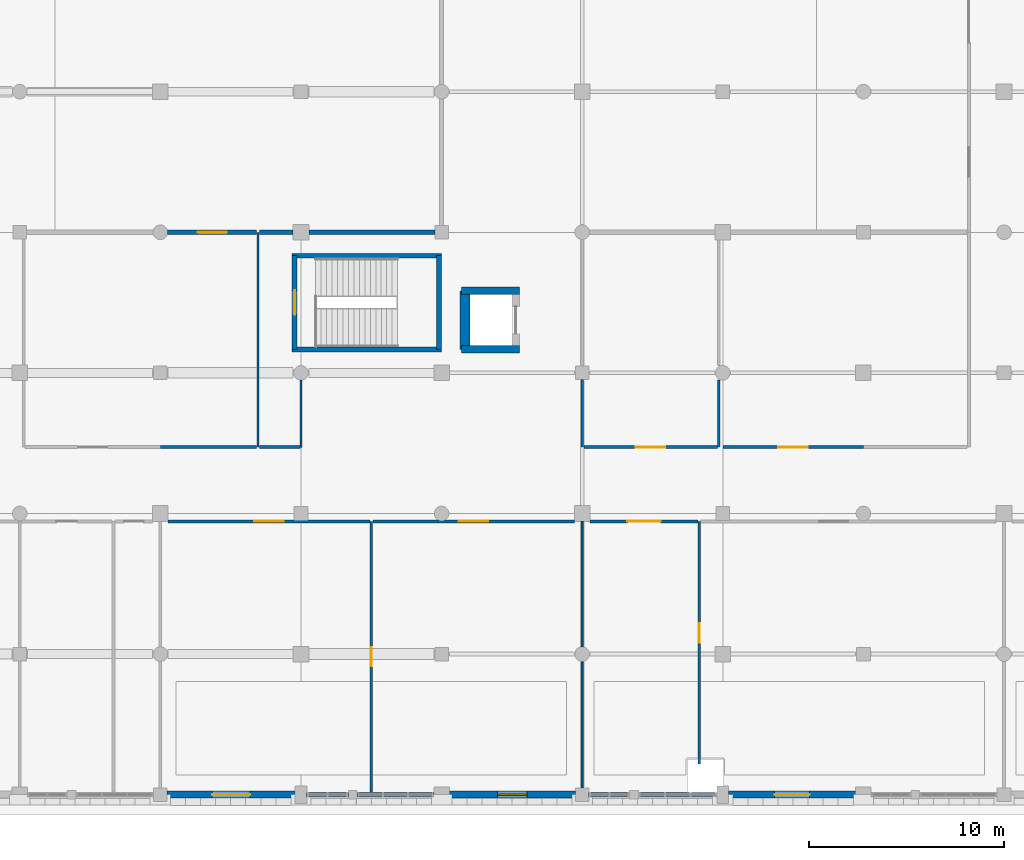
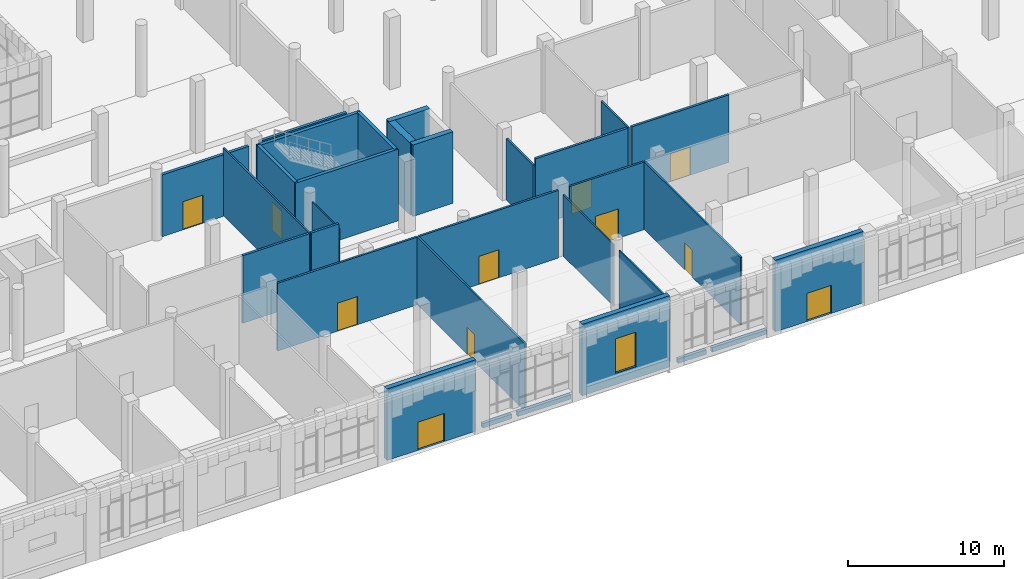
# One storey, part 58 of 85: 32 walls, 11 doors, 1 window, 12 openings.
"""IFC4 building model written with IfcOpenShell, lengths in metres."""

import ifcopenshell
import ifcopenshell.guid

model = None  # the IFC model being written
_history = None  # IfcOwnerHistory: only IFC2X3 demands one
_inside = {}  # id of a spatial element -> (the spatial element, [elements in it])
_under = {}  # id of a project, library or spatial element -> (it, [spatial elements below it])
_declared = {}  # id of a project -> (the project, [libraries it declares])
_typed = {}  # id of a type object -> (the type object, [elements of that type])
_made_of = {}  # id of a material, layer set ... -> (it, [elements and type objects made of it])


def new_model(schema):
    """Start an empty IFC model of exactly this schema.

    Asked for "IFC4X3", IfcOpenShell would pick the latest addendum, in which some entities
    have other attributes; the version numbers below select the first issue.
    IFC2X3 requires an IfcOwnerHistory on every rooted entity: one is made here for all.
    """
    global model, _history
    if schema == "IFC4X3":
        model = ifcopenshell.file(schema_version=(4, 3, 0, 0))
    else:
        model = ifcopenshell.file(schema=schema)
    _inside.clear()
    _under.clear()
    _declared.clear()
    _typed.clear()
    _made_of.clear()
    _history = None
    if model.schema == "IFC2X3":
        org = make("IfcOrganization", Name="unknown")
        user = make(
            "IfcPersonAndOrganization",
            ThePerson=make("IfcPerson", FamilyName="unknown"),
            TheOrganization=org,
        )
        app = make(
            "IfcApplication",
            ApplicationDeveloper=org,
            Version="unknown",
            ApplicationFullName="unknown",
            ApplicationIdentifier="unknown",
        )
        _history = make(
            "IfcOwnerHistory",
            OwningUser=user,
            OwningApplication=app,
            ChangeAction="ADDED",
            CreationDate=0,
        )
    return model


def make(cls, **values):
    """One entity of the class cls with the attributes given. An attribute that is None is left unset."""
    return model.create_entity(
        cls, **{name: value for name, value in values.items() if value is not None}
    )


def rooted(cls, **values):
    """An entity with a GlobalId (a new one), such as an element, a storey or a relation."""
    return make(cls, GlobalId=ifcopenshell.guid.new(), OwnerHistory=_history, **values)


def si_unit(unit_type, name, prefix=None):
    """IfcSIUnit, for example si_unit("LENGTHUNIT", "METRE", prefix="MILLI")."""
    return make("IfcSIUnit", UnitType=unit_type, Prefix=prefix, Name=name)


def assignment(units):
    """IfcUnitAssignment: the units of a project."""
    return None if units is None else make("IfcUnitAssignment", Units=units)


def point(xyz):
    """IfcCartesianPoint."""
    return None if xyz is None else make("IfcCartesianPoint", Coordinates=xyz)


def direction(xyz):
    """IfcDirection."""
    return None if xyz is None else make("IfcDirection", DirectionRatios=xyz)


def frame(location, z_axis=None, x_axis=None):
    """IfcAxis2Placement3D, a coordinate frame: its origin and axes. An axis left out is left unset."""
    return make(
        "IfcAxis2Placement3D",
        Location=point(location),
        Axis=direction(z_axis),
        RefDirection=direction(x_axis),
    )


def frame_2d(location, x_axis=None):
    """IfcAxis2Placement2D, a coordinate frame in the plane: its origin and x axis."""
    return make(
        "IfcAxis2Placement2D", Location=point(location), RefDirection=direction(x_axis)
    )


def origin():
    """The frame at (0, 0, 0) with its axes left unset."""
    return frame((0.0, 0.0, 0.0))


def place(relative_to, where):
    """IfcLocalPlacement: puts the frame where relative to a parent placement (None: the world)."""
    return make(
        "IfcLocalPlacement", PlacementRelTo=relative_to, RelativePlacement=where
    )


def context(
    kind, dimensions, precision=None, world=None, true_north=None, identifier=None
):
    """IfcGeometricRepresentationContext, for example the 3D "Model" context."""
    return make(
        "IfcGeometricRepresentationContext",
        ContextIdentifier=identifier,
        ContextType=kind,
        CoordinateSpaceDimension=dimensions,
        Precision=precision,
        WorldCoordinateSystem=world,
        TrueNorth=true_north,
    )


def subcontext(parent, identifier, kind, view, scale=None):
    """IfcGeometricRepresentationSubContext, for example "Body" below "Model"."""
    return make(
        "IfcGeometricRepresentationSubContext",
        ContextIdentifier=identifier,
        ContextType=kind,
        ParentContext=parent,
        TargetScale=scale,
        TargetView=view,
    )


def project(units=None, contexts=None):
    """IfcProject with its units and contexts."""
    return rooted(
        "IfcProject",
        Name="project",
        RepresentationContexts=contexts,
        UnitsInContext=assignment(units),
    )


def spatial(cls, under=None, at=None, **own):
    """A site, building, storey or space (cls), placed at a placement, below another one or the project."""
    s = rooted(cls, ObjectPlacement=at, **own)
    if under is not None:
        _under.setdefault(under.id(), (under, []))[1].append(s)
    return s


def profile(cls, at=None, kind="AREA", **sizes):
    """A parametric profile (cls). Its sizes go by their IFC names, for example OverallWidth=200.0."""
    return make(cls, ProfileType=kind, Position=at, **sizes)


def rectangle(**sizes):
    """IfcRectangleProfileDef."""
    return profile("IfcRectangleProfileDef", **sizes)


def extrude(swept, where, along, depth):
    """IfcExtrudedAreaSolid: the profile swept, set in the frame where, extruded along a direction by depth."""
    return make(
        "IfcExtrudedAreaSolid",
        SweptArea=swept,
        Position=where,
        ExtrudedDirection=direction(along),
        Depth=depth,
    )


def shape(context_of_items, identifier, shape_type, items):
    """IfcShapeRepresentation: the items that make up one representation, for example the "Body"."""
    return make(
        "IfcShapeRepresentation",
        ContextOfItems=context_of_items,
        RepresentationIdentifier=identifier,
        RepresentationType=shape_type,
        Items=items,
    )


def material(Name=None, Category=None):
    """IfcMaterial."""
    return make("IfcMaterial", Name=Name, Category=Category)


def layer(
    of_material, thickness, ventilated=None, Name=None, Category=None, Priority=None
):
    """IfcMaterialLayer: one layer of a wall or slab, of a material (None: an air gap)."""
    return make(
        "IfcMaterialLayer",
        Material=of_material,
        LayerThickness=thickness,
        IsVentilated=ventilated,
        Name=Name,
        Category=Category,
        Priority=Priority,
    )


def layer_set(layers, Name=None):
    """IfcMaterialLayerSet."""
    return make("IfcMaterialLayerSet", MaterialLayers=layers, LayerSetName=Name)


def made_of(thing, what):
    """Note that an element or type object is made of a material, layer set ...; save() writes the relation."""
    if what is not None:
        _made_of.setdefault(what.id(), (what, []))[1].append(thing)
    return thing


def type_object(cls, material=None, **own):
    """A type object (cls), such as IfcWallType, which elements share."""
    return made_of(rooted(cls, **own), material)


def element(
    cls,
    number,
    at=None,
    inside=None,
    cuts=None,
    type_object=None,
    material=None,
    context=None,
    identifier="Body",
    shape_type=None,
    held_by="IfcProductDefinitionShape",
    body=None,
    shapes=None,
    **own,
):
    """One element of the class cls, such as IfcWall. Its Tag is "e" and its number.

    at: its placement. inside: the storey or other place that contains it. cuts: it is an
    opening in that element (IfcRelVoidsElement). A single representation is given by context,
    identifier, shape_type and body (its items); several are given by shapes. held_by: the class
    of the entity that holds the representations. save() writes the other relations.
    """
    e = rooted(cls, Tag="e%d" % number, ObjectPlacement=at, **own)
    if body is not None:
        shapes = [shape(context, identifier, shape_type, body)]
    if shapes is not None:
        e.Representation = make(held_by, Representations=shapes)
    if inside is not None:
        _inside.setdefault(inside.id(), (inside, []))[1].append(e)
    if cuts is not None:
        rooted(
            "IfcRelVoidsElement", RelatingBuildingElement=cuts, RelatedOpeningElement=e
        )
    if type_object is not None:
        _typed.setdefault(type_object.id(), (type_object, []))[1].append(e)
    return made_of(e, material)


def fill(opening, filler):
    """IfcRelFillsElement: the door or window that sits in an opening."""
    return rooted(
        "IfcRelFillsElement",
        RelatingOpeningElement=opening,
        RelatedBuildingElement=filler,
    )


def aggregate(whole, parts):
    """IfcRelAggregates: a whole, such as a stair, and the parts it consists of."""
    return rooted("IfcRelAggregates", RelatingObject=whole, RelatedObjects=parts)


def save(model, path):
    """Write the relations noted so far, then the file.

    IfcRelAggregates (storeys below a building ...), IfcRelContainedInSpatialStructure (elements
    in a storey), IfcRelDefinesByType, IfcRelAssociatesMaterial and IfcRelDeclares: one each for
    every whole, place, type object, material and project.
    """
    for whole, parts in _under.values():
        aggregate(whole, parts)
    for where, things in _inside.values():
        rooted(
            "IfcRelContainedInSpatialStructure",
            RelatedElements=things,
            RelatingStructure=where,
        )
    for kind, things in _typed.values():
        rooted("IfcRelDefinesByType", RelatedObjects=things, RelatingType=kind)
    for what, things in _made_of.values():
        rooted("IfcRelAssociatesMaterial", RelatedObjects=things, RelatingMaterial=what)
    for by, libraries in _declared.values():
        rooted("IfcRelDeclares", RelatingContext=by, RelatedDefinitions=libraries)
    model.write(path)


model = new_model("IFC4")

# Units and contexts
model_context = context("Model", 3, precision=1e-05, world=origin(), true_north=direction((0.0, 1.0)))
body_context = subcontext(model_context, "Body", "Model", "MODEL_VIEW")
ifc_project = project(units=[si_unit("LENGTHUNIT", "METRE"), si_unit("AREAUNIT", "SQUARE_METRE"), si_unit("VOLUMEUNIT", "CUBIC_METRE"), si_unit("PLANEANGLEUNIT", "RADIAN"), si_unit("MASSUNIT", "GRAM", prefix="KILO")], contexts=[model_context])

# Site, building, storey
site_placement = place(None, origin())
site = spatial("IfcSite", under=ifc_project, at=site_placement, CompositionType="ELEMENT")
building_placement = place(site_placement, origin())
building = spatial("IfcBuilding", under=site, at=building_placement, Name="Sardonyx Promenade Sports Hall", CompositionType="ELEMENT")
storey_placement = place(building_placement, origin())
storey = spatial("IfcBuildingStorey", under=building, at=storey_placement, Name="L00", CompositionType="ELEMENT", Elevation=0.0)

# Walls
ifc_material_1 = material(Name="Concrete C40/50", Category="concrete")
ifc_layer_1 = layer(ifc_material_1, 0.3798828125)
ifc_layer_set_1 = layer_set([ifc_layer_1], Name="Wall_Core_Shear_380")
wall_type_1 = type_object("IfcWallType", Name="Wall_Core_Shear_380", PredefinedType="SHEAR", material=ifc_layer_set_1)
for number, where, z_axis, x_axis, name in (
    (1, (109.010009765625, 25.800048828125, 0.0), (0.0, 0.0, 1.0), (1.0, 0.0, 0.0), "Lift shaft wall LF4 L00 N"),
    (2, (111.989990234375, 22.800048828125, 0.0), (0.0, 0.0, 1.0), (-1.0, 0.0, 0.0), "Lift shaft wall LF4 L00 S"),
):
    element("IfcWall", number, at=place(storey_placement, frame(where, z_axis=z_axis, x_axis=x_axis)), inside=storey, type_object=wall_type_1, Name=name, PredefinedType="SHEAR", context=body_context, shape_type="SweptSolid", body=[
        extrude(rectangle(XDim=2.97998046875, YDim=0.3798828125, at=frame_2d((1.489990234375, 0.0))), origin(), (0.0, 0.0, 1.0), 5.60009765625),
    ])
ifc_material_2 = material(Name="Concrete C50/60", Category="concrete")
ifc_layer_2 = layer(ifc_material_2, 0.5)
ifc_layer_set_2 = layer_set([ifc_layer_2], Name="Wall_Core_Shear_500")
wall_type_2 = type_object("IfcWallType", Name="Wall_Core_Shear_500", PredefinedType="SHEAR", material=ifc_layer_set_2)
wall_1_placement = place(storey_placement, frame((109.199951171875, 25.800048828125, 0.0), z_axis=(0.0, 0.0, 1.0), x_axis=(0.0, -1.0, 0.0)))
element("IfcWall", 3, at=wall_1_placement, inside=storey, type_object=wall_type_2, Name="Lift shaft wall LF4 L00 W", PredefinedType="SHEAR", context=body_context, shape_type="SweptSolid", body=[
    extrude(rectangle(XDim=3.0, YDim=0.5, at=frame_2d((1.5, 0.0))), origin(), (0.0, 0.0, 1.0), 5.60009765625),
])

# Wall, opening, door
ifc_material_3 = material(Name="Concrete C40/50", Category="concrete")
ifc_layer_3 = layer(ifc_material_3, 0.360107421875)
ifc_layer_set_3 = layer_set([ifc_layer_3], Name="Wall_Ext_Sandstone_360")
wall_type_3 = type_object("IfcWallType", Name="Wall_Ext_Sandstone_360", PredefinedType="SOLIDWALL", material=ifc_layer_set_3)
wall_2_placement = place(storey_placement, frame((129.215087890625, 0.0, 0.0), z_axis=(0.0, 0.0, 1.0), x_axis=(-1.0, 0.0, 0.0)))
wall_2 = element("IfcWall", 4, at=wall_2_placement, inside=storey, type_object=wall_type_3, Name="Exterior wall EW06 L00 #7", PredefinedType="SOLIDWALL", context=body_context, shape_type="SweptSolid", body=[
    extrude(rectangle(XDim=6.530029296875, YDim=0.360107421875, at=frame_2d((3.26513671875, 0.0))), origin(), (0.0, 0.0, 1.0), 5.60009765625),
])
opening_1_placement = place(wall_2_placement, frame((2.364990234375, 0.0, 0.0)))
opening_1 = element("IfcOpeningElement", 5, at=opening_1_placement, cuts=wall_2, Name="Opening ED04", PredefinedType="OPENING", context=body_context, shape_type="SweptSolid", body=[
    extrude(rectangle(XDim=1.800048828125, YDim=2.199951171875, at=frame_2d((0.89990234375, 1.10009765625))), frame((0.0, 0.19, 0.0), z_axis=(0.0, -1.0, 0.0), x_axis=(1.0, 0.0, 0.0)), (0.0, 0.0, 1.0), 0.38),
])
ifc_material_4 = material(Name="Thermally broken anodised aluminium glazed door", Category="aluminium")
door_type_1 = type_object("IfcDoorType", Name="Door_Ext_Escape_180x220", OperationType="NOTDEFINED", PredefinedType="DOOR", material=ifc_material_4)
door_1_placement = place(opening_1_placement, origin())
door_1 = element("IfcDoor", 6, at=door_1_placement, inside=storey, type_object=door_type_1, Name="Exterior exit door E04", OperationType="DOUBLE_DOOR_SINGLE_SWING", OverallHeight=2.199951171875, OverallWidth=1.800048828125, PredefinedType="DOOR", context=body_context, shape_type="SweptSolid", body=[
    extrude(rectangle(XDim=1.800048828125, YDim=2.199951171875, at=frame_2d((0.89990234375, 1.10009765625))), frame((0.0, 0.02490234375, 0.0), z_axis=(0.0, -1.0, 0.0), x_axis=(1.0, 0.0, 0.0)), (0.0, 0.0, 1.0), 0.050048828125),
])
fill(opening_1, door_1)

# Wall, opening, window
wall_3_placement = place(storey_placement, frame((114.864990234375, 0.0, 0.0), z_axis=(0.0, 0.0, 1.0), x_axis=(-1.0, 0.0, 0.0)))
wall_3 = element("IfcWall", 7, at=wall_3_placement, inside=storey, type_object=wall_type_3, Name="Exterior wall EW06 L00 #10", PredefinedType="SOLIDWALL", context=body_context, shape_type="SweptSolid", body=[
    extrude(rectangle(XDim=6.47998046875, YDim=0.360107421875, at=frame_2d((3.239990234375, 0.0))), origin(), (0.0, 0.0, 1.0), 5.60009765625),
])
opening_2_placement = place(wall_3_placement, frame((2.489990234375, 0.0, 0.89990234375)))
opening_2 = element("IfcOpeningElement", 8, at=opening_2_placement, cuts=wall_3, Name="Opening W07", PredefinedType="OPENING", context=body_context, shape_type="SweptSolid", body=[
    extrude(rectangle(XDim=1.5, YDim=2.699951171875, at=frame_2d((0.75, 1.35009765625))), frame((0.0, 0.19, 0.0), z_axis=(0.0, -1.0, 0.0), x_axis=(1.0, 0.0, 0.0)), (0.0, 0.0, 1.0), 0.38),
])
ifc_material_5 = material(Name="Double-glazed solar low-E aluminium window", Category="aluminium")
window_type = type_object("IfcWindowType", Name="Win_Sandstone_TallA", PartitioningType="SINGLE_PANEL", PredefinedType="WINDOW", material=ifc_material_5)
window_placement = place(opening_2_placement, origin())
window = element("IfcWindow", 9, at=window_placement, inside=storey, type_object=window_type, Name="Facade window W07 L00 #2", OverallHeight=2.699951171875, OverallWidth=1.5, PartitioningType="SINGLE_PANEL", PredefinedType="WINDOW", context=body_context, shape_type="SweptSolid", body=[
    extrude(rectangle(XDim=1.5, YDim=2.699951171875, at=frame_2d((0.75, 1.35009765625))), frame((0.0, 0.030029296875, 0.0), z_axis=(0.0, -1.0, 0.0), x_axis=(1.0, 0.0, 0.0)), (0.0, 0.0, 1.0), 0.06005859375),
])
fill(opening_2, window)

# Wall, opening, door
wall_4_placement = place(storey_placement, frame((100.514892578125, 0.0, 0.0), z_axis=(0.0, 0.0, 1.0), x_axis=(-1.0, 0.0, 0.0)))
wall_4 = element("IfcWall", 10, at=wall_4_placement, inside=storey, type_object=wall_type_3, Name="Exterior wall EW06 L00 #13", PredefinedType="SOLIDWALL", context=body_context, shape_type="SweptSolid", body=[
    extrude(rectangle(XDim=6.579833984375, YDim=0.360107421875, at=frame_2d((3.2900390625, 0.0))), origin(), (0.0, 0.0, 1.0), 5.60009765625),
])
opening_3_placement = place(wall_4_placement, frame((2.31494140625, 0.0, 0.0)))
opening_3 = element("IfcOpeningElement", 11, at=opening_3_placement, cuts=wall_4, Name="Opening ED03", PredefinedType="OPENING", context=body_context, shape_type="SweptSolid", body=[
    extrude(rectangle(XDim=1.949951171875, YDim=2.199951171875, at=frame_2d((0.97509765625, 1.10009765625))), frame((0.0, 0.19, 0.0), z_axis=(0.0, -1.0, 0.0), x_axis=(1.0, 0.0, 0.0)), (0.0, 0.0, 1.0), 0.38),
])
ifc_material_6 = material(Name="Thermally broken anodised aluminium glazed door", Category="aluminium")
door_type_2 = type_object("IfcDoorType", Name="Door_Ext_Escape_195x220", OperationType="NOTDEFINED", PredefinedType="DOOR", material=ifc_material_6)
door_2_placement = place(opening_3_placement, origin())
door_2 = element("IfcDoor", 12, at=door_2_placement, inside=storey, type_object=door_type_2, Name="Exterior exit door E05", OperationType="DOUBLE_DOOR_SINGLE_SWING", OverallHeight=2.199951171875, OverallWidth=1.949951171875, PredefinedType="DOOR", context=body_context, shape_type="SweptSolid", body=[
    extrude(rectangle(XDim=1.949951171875, YDim=2.199951171875, at=frame_2d((0.97509765625, 1.10009765625))), frame((0.0, 0.02490234375, 0.0), z_axis=(0.0, -1.0, 0.0), x_axis=(1.0, 0.0, 0.0)), (0.0, 0.0, 1.0), 0.050048828125),
])
fill(opening_3, door_2)

# Walls
ifc_material_7 = material(Name="Masonry CMU 15 MPa", Category="masonry")
ifc_layer_4 = layer(ifc_material_7, 0.239990234375)
ifc_layer_set_4 = layer_set([ifc_layer_4], Name="Wall_Ext_Spandrel_240")
wall_type_4 = type_object("IfcWallType", Name="Wall_Ext_Spandrel_240", PredefinedType="SOLIDWALL", material=ifc_layer_set_4)
wall_5_placement = place(storey_placement, frame((122.114990234375, 0.0, 0.0), z_axis=(0.0, 0.0, 1.0), x_axis=(-1.0, 0.0, 0.0)))
element("IfcWall", 13, at=wall_5_placement, inside=storey, type_object=wall_type_4, Name="Curtain-wall sill spandrel L00 #8", PredefinedType="SOLIDWALL", context=body_context, shape_type="SweptSolid", body=[
    extrude(rectangle(XDim=4.054931640625, YDim=0.239990234375, at=frame_2d((2.02734375, 0.0))), origin(), (0.0, 0.0, 1.0), 0.35009765625),
])
wall_6_placement = place(storey_placement, frame((117.639892578125, 0.0, 0.0), z_axis=(0.0, 0.0, 1.0), x_axis=(-1.0, 0.0, 0.0)))
element("IfcWall", 14, at=wall_6_placement, inside=storey, type_object=wall_type_4, Name="Curtain-wall sill spandrel L00 #9", PredefinedType="SOLIDWALL", context=body_context, shape_type="SweptSolid", body=[
    extrude(rectangle(XDim=2.10498046875, YDim=0.239990234375, at=frame_2d((1.052490234375, 0.0))), origin(), (0.0, 0.0, 1.0), 0.35009765625),
])
wall_7_placement = place(storey_placement, frame((107.614990234375, 0.0, 0.0), z_axis=(0.0, 0.0, 1.0), x_axis=(-1.0, 0.0, 0.0)))
element("IfcWall", 15, at=wall_7_placement, inside=storey, type_object=wall_type_4, Name="Curtain-wall sill spandrel L00 #11", PredefinedType="SOLIDWALL", context=body_context, shape_type="SweptSolid", body=[
    extrude(rectangle(XDim=3.955078125, YDim=0.239990234375, at=frame_2d((1.9775390625, 0.0))), origin(), (0.0, 0.0, 1.0), 0.35009765625),
])
wall_8_placement = place(storey_placement, frame((103.239990234375, 0.0, 0.0), z_axis=(0.0, 0.0, 1.0), x_axis=(-1.0, 0.0, 0.0)))
element("IfcWall", 16, at=wall_8_placement, inside=storey, type_object=wall_type_4, Name="Curtain-wall sill spandrel L00 #12", PredefinedType="SOLIDWALL", context=body_context, shape_type="SweptSolid", body=[
    extrude(rectangle(XDim=2.155029296875, YDim=0.239990234375, at=frame_2d((1.07763671875, 0.0))), origin(), (0.0, 0.0, 1.0), 0.35009765625),
])
ifc_material_8 = material(Name="Twin-stud acoustic gypsum partition", Category="gypsum")
ifc_layer_5 = layer(ifc_material_8, 0.169921875)
ifc_layer_set_5 = layer_set([ifc_layer_5], Name="Wall_Part_Acoust_170")
wall_type_5 = type_object("IfcWallType", Name="Wall_Part_Acoust_170", PredefinedType="PARTITIONING", material=ifc_layer_set_5)
wall_9_placement = place(storey_placement, frame((93.610107421875, 17.800048828125, 0.0), z_axis=(0.0, 0.0, 1.0), x_axis=(1.0, 0.0, 0.0)))
element("IfcWall", 17, at=wall_9_placement, inside=storey, type_object=wall_type_5, Name="Interior partition PW06 L00 #145", PredefinedType="PARTITIONING", context=body_context, shape_type="SweptSolid", body=[
    extrude(rectangle(XDim=4.919921875, YDim=0.169921875, at=frame_2d((2.4599609375, 0.0))), origin(), (0.0, 0.0, 1.0), 5.300048828125),
])
wall_10_placement = place(storey_placement, frame((98.669921875, 17.800048828125, 0.0), z_axis=(0.0, 0.0, 1.0), x_axis=(1.0, 0.0, 0.0)))
element("IfcWall", 18, at=wall_10_placement, inside=storey, type_object=wall_type_5, Name="Interior partition PW06 L00 #146", PredefinedType="PARTITIONING", context=body_context, shape_type="SweptSolid", body=[
    extrude(rectangle(XDim=2.070068359375, YDim=0.169921875, at=frame_2d((1.03515625, 0.0))), origin(), (0.0, 0.0, 1.0), 5.300048828125),
])

# Wall, opening, door
wall_11_placement = place(storey_placement, frame((115.280029296875, 17.800048828125, 0.0), z_axis=(0.0, 0.0, 1.0), x_axis=(1.0, 0.0, 0.0)))
wall_11 = element("IfcWall", 19, at=wall_11_placement, inside=storey, type_object=wall_type_5, Name="Interior partition PW06 L00 #147", PredefinedType="PARTITIONING", context=body_context, shape_type="SweptSolid", body=[
    extrude(rectangle(XDim=6.844970703125, YDim=0.169921875, at=frame_2d((3.42236328125, 0.0))), origin(), (0.0, 0.0, 1.0), 5.300048828125),
])
opening_4_placement = place(wall_11_placement, frame((2.672607421875, 0.0, 0.0)))
opening_4 = element("IfcOpeningElement", 20, at=opening_4_placement, cuts=wall_11, Name="Opening ID10", PredefinedType="OPENING", context=body_context, shape_type="SweptSolid", body=[
    extrude(rectangle(XDim=1.5, YDim=2.199951171875, at=frame_2d((0.75, 1.10009765625))), frame((0.0, 0.095, 0.0), z_axis=(0.0, -1.0, 0.0), x_axis=(1.0, 0.0, 0.0)), (0.0, 0.0, 1.0), 0.19),
])
ifc_material_9 = material(Name="Double studio entrance fire door FD30S", Category="wood")
door_type_3 = type_object("IfcDoorType", Name="Door_Corr_FD30_150x220", OperationType="NOTDEFINED", PredefinedType="DOOR", material=ifc_material_9)
door_3_placement = place(opening_4_placement, origin())
door_3 = element("IfcDoor", 21, at=door_3_placement, inside=storey, type_object=door_type_3, Name="Interior door D00-043", OperationType="DOUBLE_DOOR_SINGLE_SWING", OverallHeight=2.199951171875, OverallWidth=1.5, PredefinedType="DOOR", context=body_context, shape_type="SweptSolid", body=[
    extrude(rectangle(XDim=1.5, YDim=2.199951171875, at=frame_2d((0.75, 1.10009765625))), frame((0.0, 0.02490234375, 0.0), z_axis=(0.0, -1.0, 0.0), x_axis=(1.0, 0.0, 0.0)), (0.0, 0.0, 1.0), 0.050048828125),
])
fill(opening_4, door_3)

wall_12_placement = place(storey_placement, frame((122.39990234375, 17.800048828125, 0.0), z_axis=(0.0, 0.0, 1.0), x_axis=(1.0, 0.0, 0.0)))
wall_12 = element("IfcWall", 22, at=wall_12_placement, inside=storey, type_object=wall_type_5, Name="Interior partition PW06 L00 #148", PredefinedType="PARTITIONING", context=body_context, shape_type="SweptSolid", body=[
    extrude(rectangle(XDim=7.2001953125, YDim=0.169921875, at=frame_2d((3.60009765625, 0.0))), origin(), (0.0, 0.0, 1.0), 5.300048828125),
])
opening_5_placement = place(wall_12_placement, frame((2.85009765625, 0.0, 0.0)))
opening_5 = element("IfcOpeningElement", 23, at=opening_5_placement, cuts=wall_12, Name="Opening ID10", PredefinedType="OPENING", context=body_context, shape_type="SweptSolid", body=[
    extrude(rectangle(XDim=1.5, YDim=2.199951171875, at=frame_2d((0.75, 1.10009765625))), frame((0.0, 0.095, 0.0), z_axis=(0.0, -1.0, 0.0), x_axis=(1.0, 0.0, 0.0)), (0.0, 0.0, 1.0), 0.19),
])
door_4_placement = place(opening_5_placement, origin())
door_4 = element("IfcDoor", 24, at=door_4_placement, inside=storey, type_object=door_type_3, Name="Interior door D00-044", OperationType="DOUBLE_DOOR_SINGLE_SWING", OverallHeight=2.199951171875, OverallWidth=1.5, PredefinedType="DOOR", context=body_context, shape_type="SweptSolid", body=[
    extrude(rectangle(XDim=1.5, YDim=2.199951171875, at=frame_2d((0.75, 1.10009765625))), frame((0.0, 0.02490234375, 0.0), z_axis=(0.0, -1.0, 0.0), x_axis=(1.0, 0.0, 0.0)), (0.0, 0.0, 1.0), 0.050048828125),
])
fill(opening_5, door_4)

ifc_material_10 = material(Name="Masonry CMU 15 MPa", Category="masonry")
ifc_layer_6 = layer(ifc_material_10, 0.2099609375)
ifc_layer_set_6 = layer_set([ifc_layer_6], Name="Wall_Part_Block_210")
wall_type_6 = type_object("IfcWallType", Name="Wall_Part_Block_210", PredefinedType="PARTITIONING", material=ifc_layer_set_6)
wall_13_placement = place(storey_placement, frame((93.97509765625, 28.800048828125, 0.0), z_axis=(0.0, 0.0, 1.0), x_axis=(1.0, 0.0, 0.0)))
wall_13 = element("IfcWall", 25, at=wall_13_placement, inside=storey, type_object=wall_type_6, Name="Interior partition PW07 L00 #118", PredefinedType="PARTITIONING", context=body_context, shape_type="SweptSolid", body=[
    extrude(rectangle(XDim=4.554931640625, YDim=0.2099609375, at=frame_2d((2.27734375, 0.0))), origin(), (0.0, 0.0, 1.0), 4.830078125),
])
opening_6_placement = place(wall_13_placement, frame((1.527587890625, 0.0, 0.0)))
opening_6 = element("IfcOpeningElement", 26, at=opening_6_placement, cuts=wall_13, Name="Opening ID10", PredefinedType="OPENING", context=body_context, shape_type="SweptSolid", body=[
    extrude(rectangle(XDim=1.5, YDim=2.199951171875, at=frame_2d((0.75, 1.10009765625))), frame((0.0, 0.115, 0.0), z_axis=(0.0, -1.0, 0.0), x_axis=(1.0, 0.0, 0.0)), (0.0, 0.0, 1.0), 0.23),
])
door_5_placement = place(opening_6_placement, origin())
door_5 = element("IfcDoor", 27, at=door_5_placement, inside=storey, type_object=door_type_3, Name="Interior door D00-024", OperationType="DOUBLE_DOOR_SINGLE_SWING", OverallHeight=2.199951171875, OverallWidth=1.5, PredefinedType="DOOR", context=body_context, shape_type="SweptSolid", body=[
    extrude(rectangle(XDim=1.5, YDim=2.199951171875, at=frame_2d((0.75, 1.10009765625))), frame((0.0, 0.02490234375, 0.0), z_axis=(0.0, -1.0, 0.0), x_axis=(1.0, 0.0, 0.0)), (0.0, 0.0, 1.0), 0.050048828125),
])
fill(opening_6, door_5)

# Walls
wall_14_placement = place(storey_placement, frame((98.669921875, 28.800048828125, 0.0), z_axis=(0.0, 0.0, 1.0), x_axis=(1.0, 0.0, 0.0)))
element("IfcWall", 28, at=wall_14_placement, inside=storey, type_object=wall_type_6, Name="Interior partition PW07 L00 #119", PredefinedType="PARTITIONING", context=body_context, shape_type="SweptSolid", body=[
    extrude(rectangle(XDim=1.72998046875, YDim=0.2099609375, at=frame_2d((0.864990234375, 0.0))), origin(), (0.0, 0.0, 1.0), 4.830078125),
])
wall_15_placement = place(storey_placement, frame((101.199951171875, 28.800048828125, 0.0), z_axis=(0.0, 0.0, 1.0), x_axis=(1.0, 0.0, 0.0)))
element("IfcWall", 29, at=wall_15_placement, inside=storey, type_object=wall_type_6, Name="Interior partition PW07 L00 #120", PredefinedType="PARTITIONING", context=body_context, shape_type="SweptSolid", body=[
    extrude(rectangle(XDim=6.449951171875, YDim=0.2099609375, at=frame_2d((3.22509765625, 0.0))), origin(), (0.0, 0.0, 1.0), 4.929931640625),
])

# Wall, opening, door
ifc_material_11 = material(Name="Hygienic clinical stud partition", Category="gypsum")
ifc_layer_7 = layer(ifc_material_11, 0.1201171875)
ifc_layer_set_7 = layer_set([ifc_layer_7], Name="Wall_Part_Clinic_120")
wall_type_7 = type_object("IfcWallType", Name="Wall_Part_Clinic_120", PredefinedType="PARTITIONING", material=ifc_layer_set_7)
wall_16_placement = place(storey_placement, frame((121.199951171875, 1.580078125, 0.0), z_axis=(0.0, 0.0, 1.0), x_axis=(0.0, 1.0, 0.0)))
wall_16 = element("IfcWall", 30, at=wall_16_placement, inside=storey, type_object=wall_type_7, Name="Interior partition PW02 L00 #78", PredefinedType="PARTITIONING", context=body_context, shape_type="SweptSolid", body=[
    extrude(rectangle(XDim=12.419921875, YDim=0.1201171875, at=frame_2d((6.2099609375, 0.0))), origin(), (0.0, 0.0, 1.0), 5.300048828125),
])
opening_7_placement = place(wall_16_placement, frame((6.2099609375, 0.0, 0.0)))
opening_7 = element("IfcOpeningElement", 31, at=opening_7_placement, cuts=wall_16, Name="Opening ID05", PredefinedType="OPENING", context=body_context, shape_type="SweptSolid", body=[
    extrude(rectangle(XDim=1.0, YDim=2.10009765625, at=frame_2d((0.5, 1.050048828125))), frame((0.0, 0.07, 0.0), z_axis=(0.0, -1.0, 0.0), x_axis=(1.0, 0.0, 0.0)), (0.0, 0.0, 1.0), 0.14),
])
ifc_material_12 = material(Name="Acoustic laminate clinic door", Category="wood")
door_type_4 = type_object("IfcDoorType", Name="Door_Suite_100x210", OperationType="NOTDEFINED", PredefinedType="DOOR", material=ifc_material_12)
door_6_placement = place(opening_7_placement, origin())
door_6 = element("IfcDoor", 32, at=door_6_placement, inside=storey, type_object=door_type_4, Name="Interior door D00-020", OperationType="SINGLE_SWING_RIGHT", OverallHeight=2.10009765625, OverallWidth=1.0, PredefinedType="DOOR", context=body_context, shape_type="SweptSolid", body=[
    extrude(rectangle(XDim=1.0, YDim=2.10009765625, at=frame_2d((0.5, 1.050048828125))), frame((0.0, 0.02490234375, 0.0), z_axis=(0.0, -1.0, 0.0), x_axis=(1.0, 0.0, 0.0)), (0.0, 0.0, 1.0), 0.050048828125),
])
fill(opening_7, door_6)

# Wall
wall_17_placement = place(storey_placement, frame((98.60009765625, 17.800048828125, 0.0), z_axis=(0.0, 0.0, 1.0), x_axis=(0.0, 1.0, 0.0)))
element("IfcWall", 33, at=wall_17_placement, inside=storey, type_object=wall_type_7, Name="Interior partition PW02 L00 #100", PredefinedType="PARTITIONING", context=body_context, shape_type="SweptSolid", body=[
    extrude(rectangle(XDim=11.0, YDim=0.1201171875, at=frame_2d((5.5, 0.0))), origin(), (0.0, 0.0, 1.0), 5.300048828125),
])

# Wall, opening, door
ifc_material_13 = material(Name="Fire-rated stud gypsum partition", Category="gypsum")
ifc_layer_8 = layer(ifc_material_13, 0.14990234375)
ifc_layer_set_8 = layer_set([ifc_layer_8], Name="Wall_Part_Corridor_150")
wall_type_8 = type_object("IfcWallType", Name="Wall_Part_Corridor_150", PredefinedType="PARTITIONING", material=ifc_layer_set_8)
wall_18_placement = place(storey_placement, frame((94.0, 14.0, 0.0), z_axis=(0.0, 0.0, 1.0), x_axis=(1.0, 0.0, 0.0)))
wall_18 = element("IfcWall", 34, at=wall_18_placement, inside=storey, type_object=wall_type_8, Name="Interior partition PW04 L00 #134", PredefinedType="PARTITIONING", context=body_context, shape_type="SweptSolid", body=[
    extrude(rectangle(XDim=10.324951171875, YDim=0.14990234375, at=frame_2d((5.16259765625, 0.0))), origin(), (0.0, 0.0, 1.0), 5.300048828125),
])
opening_8_placement = place(wall_18_placement, frame((4.41259765625, 0.0, 0.0)))
opening_8 = element("IfcOpeningElement", 35, at=opening_8_placement, cuts=wall_18, Name="Opening ID10", PredefinedType="OPENING", context=body_context, shape_type="SweptSolid", body=[
    extrude(rectangle(XDim=1.5, YDim=2.199951171875, at=frame_2d((0.75, 1.10009765625))), frame((0.0, 0.085, 0.0), z_axis=(0.0, -1.0, 0.0), x_axis=(1.0, 0.0, 0.0)), (0.0, 0.0, 1.0), 0.17),
])
door_7_placement = place(opening_8_placement, origin())
door_7 = element("IfcDoor", 36, at=door_7_placement, inside=storey, type_object=door_type_3, Name="Interior door D00-033", OperationType="DOUBLE_DOOR_SINGLE_SWING", OverallHeight=2.199951171875, OverallWidth=1.5, PredefinedType="DOOR", context=body_context, shape_type="SweptSolid", body=[
    extrude(rectangle(XDim=1.5, YDim=2.199951171875, at=frame_2d((0.75, 1.10009765625))), frame((0.0, 0.02490234375, 0.0), z_axis=(0.0, -1.0, 0.0), x_axis=(1.0, 0.0, 0.0)), (0.0, 0.0, 1.0), 0.050048828125),
])
fill(opening_8, door_7)

wall_19_placement = place(storey_placement, frame((104.47509765625, 14.0, 0.0), z_axis=(0.0, 0.0, 1.0), x_axis=(1.0, 0.0, 0.0)))
wall_19 = element("IfcWall", 37, at=wall_19_placement, inside=storey, type_object=wall_type_8, Name="Interior partition PW04 L00 #135", PredefinedType="PARTITIONING", context=body_context, shape_type="SweptSolid", body=[
    extrude(rectangle(XDim=10.324951171875, YDim=0.14990234375, at=frame_2d((5.16259765625, 0.0))), origin(), (0.0, 0.0, 1.0), 5.300048828125),
])
opening_9_placement = place(wall_19_placement, frame((4.41259765625, 0.0, 0.0)))
opening_9 = element("IfcOpeningElement", 38, at=opening_9_placement, cuts=wall_19, Name="Opening ID10", PredefinedType="OPENING", context=body_context, shape_type="SweptSolid", body=[
    extrude(rectangle(XDim=1.5, YDim=2.199951171875, at=frame_2d((0.75, 1.10009765625))), frame((0.0, 0.085, 0.0), z_axis=(0.0, -1.0, 0.0), x_axis=(1.0, 0.0, 0.0)), (0.0, 0.0, 1.0), 0.17),
])
door_8_placement = place(opening_9_placement, origin())
door_8 = element("IfcDoor", 39, at=door_8_placement, inside=storey, type_object=door_type_3, Name="Interior door D00-034", OperationType="DOUBLE_DOOR_SINGLE_SWING", OverallHeight=2.199951171875, OverallWidth=1.5, PredefinedType="DOOR", context=body_context, shape_type="SweptSolid", body=[
    extrude(rectangle(XDim=1.5, YDim=2.199951171875, at=frame_2d((0.75, 1.10009765625))), frame((0.0, 0.02490234375, 0.0), z_axis=(0.0, -1.0, 0.0), x_axis=(1.0, 0.0, 0.0)), (0.0, 0.0, 1.0), 0.050048828125),
])
fill(opening_9, door_8)

wall_20_placement = place(storey_placement, frame((115.60009765625, 14.0, 0.0), z_axis=(0.0, 0.0, 1.0), x_axis=(1.0, 0.0, 0.0)))
wall_20 = element("IfcWall", 40, at=wall_20_placement, inside=storey, type_object=wall_type_8, Name="Interior partition PW04 L00 #136", PredefinedType="PARTITIONING", context=body_context, shape_type="SweptSolid", body=[
    extrude(rectangle(XDim=5.52978515625, YDim=0.14990234375, at=frame_2d((2.764892578125, 0.0))), origin(), (0.0, 0.0, 1.0), 5.300048828125),
])
opening_10_placement = place(wall_20_placement, frame((1.9150390625, 0.0, 0.0)))
opening_10 = element("IfcOpeningElement", 41, at=opening_10_placement, cuts=wall_20, Name="Opening ID03", PredefinedType="OPENING", context=body_context, shape_type="SweptSolid", body=[
    extrude(rectangle(XDim=1.699951171875, YDim=2.300048828125, at=frame_2d((0.85009765625, 1.14990234375))), frame((0.0, 0.085, 0.0), z_axis=(0.0, -1.0, 0.0), x_axis=(1.0, 0.0, 0.0)), (0.0, 0.0, 1.0), 0.17),
])
ifc_material_14 = material(Name="Double changing suite fire door FD30S", Category="wood")
door_type_5 = type_object("IfcDoorType", Name="Door_Corr_FD30_170x230", OperationType="NOTDEFINED", PredefinedType="DOOR", material=ifc_material_14)
door_9_placement = place(opening_10_placement, origin())
door_9 = element("IfcDoor", 42, at=door_9_placement, inside=storey, type_object=door_type_5, Name="Interior door D00-035", OperationType="DOUBLE_DOOR_SINGLE_SWING", OverallHeight=2.300048828125, OverallWidth=1.699951171875, PredefinedType="DOOR", context=body_context, shape_type="SweptSolid", body=[
    extrude(rectangle(XDim=1.699951171875, YDim=2.300048828125, at=frame_2d((0.85009765625, 1.14990234375))), frame((0.0, 0.02490234375, 0.0), z_axis=(0.0, -1.0, 0.0), x_axis=(1.0, 0.0, 0.0)), (0.0, 0.0, 1.0), 0.050048828125),
])
fill(opening_10, door_9)

# Walls
ifc_material_15 = material(Name="Lightweight steel-stud partition", Category="steel")
ifc_layer_9 = layer(ifc_material_15, 0.10009765625)
ifc_layer_set_9 = layer_set([ifc_layer_9], Name="Wall_Part_Light_100")
wall_type_9 = type_object("IfcWallType", Name="Wall_Part_Light_100", PredefinedType="PARTITIONING", material=ifc_layer_set_9)
wall_21_placement = place(storey_placement, frame((115.199951171875, 0.35009765625, 0.0), z_axis=(0.0, 0.0, 1.0), x_axis=(0.0, 1.0, 0.0)))
element("IfcWall", 43, at=wall_21_placement, inside=storey, type_object=wall_type_9, Name="Interior partition PW01 L00 #70", PredefinedType="PARTITIONING", context=body_context, shape_type="SweptSolid", body=[
    extrude(rectangle(XDim=6.474853515625, YDim=0.10009765625, at=frame_2d((3.2373046875, 0.0))), origin(), (0.0, 0.0, 1.0), 4.800048828125),
])
wall_22_placement = place(storey_placement, frame((115.199951171875, 7.574951171875, 0.0), z_axis=(0.0, 0.0, 1.0), x_axis=(0.0, 1.0, 0.0)))
element("IfcWall", 44, at=wall_22_placement, inside=storey, type_object=wall_type_9, Name="Interior partition PW01 L00 #71", PredefinedType="PARTITIONING", context=body_context, shape_type="SweptSolid", body=[
    extrude(rectangle(XDim=6.425048828125, YDim=0.10009765625, at=frame_2d((3.21240234375, 0.0))), origin(), (0.0, 0.0, 1.0), 4.800048828125),
])
wall_23_placement = place(storey_placement, frame((100.800048828125, 17.800048828125, 0.0), z_axis=(0.0, 0.0, 1.0), x_axis=(0.0, 1.0, 0.0)))
element("IfcWall", 45, at=wall_23_placement, inside=storey, type_object=wall_type_9, Name="Interior partition PW01 L00 #101", PredefinedType="PARTITIONING", context=body_context, shape_type="SweptSolid", body=[
    extrude(rectangle(XDim=3.425048828125, YDim=0.10009765625, at=frame_2d((1.71240234375, 0.0))), origin(), (0.0, 0.0, 1.0), 4.8798828125),
])

# Wall, opening, door
ifc_material_16 = material(Name="Acoustic sports stud partition", Category="gypsum")
ifc_layer_10 = layer(ifc_material_16, 0.1298828125)
ifc_layer_set_10 = layer_set([ifc_layer_10], Name="Wall_Part_Studio_130")
wall_type_10 = type_object("IfcWallType", Name="Wall_Part_Studio_130", PredefinedType="PARTITIONING", material=ifc_layer_set_10)
wall_24_placement = place(storey_placement, frame((104.39990234375, 0.1298828125, 0.0), z_axis=(0.0, 0.0, 1.0), x_axis=(0.0, 1.0, 0.0)))
wall_24 = element("IfcWall", 46, at=wall_24_placement, inside=storey, type_object=wall_type_10, Name="Interior partition PW05 L00 #77", PredefinedType="PARTITIONING", context=body_context, shape_type="SweptSolid", body=[
    extrude(rectangle(XDim=13.8701171875, YDim=0.1298828125, at=frame_2d((6.93505859375, 0.0))), origin(), (0.0, 0.0, 1.0), 5.300048828125),
])
opening_11_placement = place(wall_24_placement, frame((6.4599609375, 0.0, 0.0)))
opening_11 = element("IfcOpeningElement", 47, at=opening_11_placement, cuts=wall_24, Name="Opening ID08", PredefinedType="OPENING", context=body_context, shape_type="SweptSolid", body=[
    extrude(rectangle(XDim=0.949951171875, YDim=2.10009765625, at=frame_2d((0.47509765625, 1.050048828125))), frame((0.0, 0.075, 0.0), z_axis=(0.0, -1.0, 0.0), x_axis=(1.0, 0.0, 0.0)), (0.0, 0.0, 1.0), 0.15),
])
ifc_material_17 = material(Name="Painted timber accessible suite door", Category="wood")
door_type_6 = type_object("IfcDoorType", Name="Door_Suite_095x210", OperationType="NOTDEFINED", PredefinedType="DOOR", material=ifc_material_17)
door_10_placement = place(opening_11_placement, origin())
door_10 = element("IfcDoor", 48, at=door_10_placement, inside=storey, type_object=door_type_6, Name="Interior door D00-019", OperationType="SINGLE_SWING_LEFT", OverallHeight=2.10009765625, OverallWidth=0.949951171875, PredefinedType="DOOR", context=body_context, shape_type="SweptSolid", body=[
    extrude(rectangle(XDim=0.949951171875, YDim=2.10009765625, at=frame_2d((0.47509765625, 1.050048828125))), frame((0.0, 0.02490234375, 0.0), z_axis=(0.0, -1.0, 0.0), x_axis=(1.0, 0.0, 0.0)), (0.0, 0.0, 1.0), 0.050048828125),
])
fill(opening_11, door_10)

# Walls
wall_25_placement = place(storey_placement, frame((122.199951171875, 17.800048828125, 0.0), z_axis=(0.0, 0.0, 1.0), x_axis=(0.0, 1.0, 0.0)))
element("IfcWall", 49, at=wall_25_placement, inside=storey, type_object=wall_type_10, Name="Interior partition PW05 L00 #104", PredefinedType="PARTITIONING", context=body_context, shape_type="SweptSolid", body=[
    extrude(rectangle(XDim=3.425048828125, YDim=0.1298828125, at=frame_2d((1.71240234375, 0.0))), origin(), (0.0, 0.0, 1.0), 5.300048828125),
])
ifc_material_18 = material(Name="Moisture-resistant masonry partition", Category="masonry")
ifc_layer_11 = layer(ifc_material_18, 0.139892578125)
ifc_layer_set_11 = layer_set([ifc_layer_11], Name="Wall_Part_Wet_140")
wall_type_11 = type_object("IfcWallType", Name="Wall_Part_Wet_140", PredefinedType="PARTITIONING", material=ifc_layer_set_11)
wall_26_placement = place(storey_placement, frame((115.199951171875, 17.800048828125, 0.0), z_axis=(0.0, 0.0, 1.0), x_axis=(0.0, 1.0, 0.0)))
element("IfcWall", 50, at=wall_26_placement, inside=storey, type_object=wall_type_11, Name="Interior partition PW08 L00 #102", PredefinedType="PARTITIONING", context=body_context, shape_type="SweptSolid", body=[
    extrude(rectangle(XDim=3.449951171875, YDim=0.139892578125, at=frame_2d((1.72509765625, 0.0))), origin(), (0.0, 0.0, 1.0), 4.800048828125),
])

# Wall, opening, door
ifc_material_19 = material(Name="Concrete C40/50", Category="concrete")
ifc_layer_12 = layer(ifc_material_19, 0.25)
ifc_layer_set_12 = layer_set([ifc_layer_12], Name="Wall_Stair_Shear_250")
wall_type_12 = type_object("IfcWallType", Name="Wall_Stair_Shear_250", PredefinedType="SHEAR", material=ifc_layer_set_12)
wall_27_placement = place(storey_placement, frame((100.47509765625, 22.800048828125, 0.0), z_axis=(0.0, 0.0, 1.0), x_axis=(0.0, 1.0, 0.0)))
wall_27 = element("IfcWall", 51, at=wall_27_placement, inside=storey, type_object=wall_type_12, Name="Stair shaft wall ST2 L00 entry", PredefinedType="SHEAR", context=body_context, shape_type="SweptSolid", body=[
    extrude(rectangle(XDim=4.800048828125, YDim=0.25, at=frame_2d((2.39990234375, 0.0))), origin(), (0.0, 0.0, 1.0), 5.60009765625),
])
opening_12_placement = place(wall_27_placement, frame((1.77490234375, 0.0, 0.0)))
opening_12 = element("IfcOpeningElement", 52, at=opening_12_placement, cuts=wall_27, Name="Opening ID13", PredefinedType="OPENING", context=body_context, shape_type="SweptSolid", body=[
    extrude(rectangle(XDim=1.25, YDim=2.199951171875, at=frame_2d((0.625, 1.10009765625))), frame((0.0, 0.135, 0.0), z_axis=(0.0, -1.0, 0.0), x_axis=(1.0, 0.0, 0.0)), (0.0, 0.0, 1.0), 0.27),
])
ifc_material_20 = material(Name="Solid-core hardwood fire door FD60S", Category="wood")
door_type_7 = type_object("IfcDoorType", Name="Door_Stair_FD60_125x220", OperationType="NOTDEFINED", PredefinedType="DOOR", material=ifc_material_20)
door_11_placement = place(opening_12_placement, origin())
door_11 = element("IfcDoor", 53, at=door_11_placement, inside=storey, type_object=door_type_7, Name="Protected stair door SD08 (ST2 L00)", OperationType="SINGLE_SWING_RIGHT", OverallHeight=2.199951171875, OverallWidth=1.25, PredefinedType="DOOR", context=body_context, shape_type="SweptSolid", body=[
    extrude(rectangle(XDim=1.25, YDim=2.199951171875, at=frame_2d((0.625, 1.10009765625))), frame((0.0, 0.02490234375, 0.0), z_axis=(0.0, -1.0, 0.0), x_axis=(1.0, 0.0, 0.0)), (0.0, 0.0, 1.0), 0.050048828125),
])
fill(opening_12, door_11)

# Walls
wall_28_placement = place(storey_placement, frame((100.35009765625, 27.60009765625, 0.0), z_axis=(0.0, 0.0, 1.0), x_axis=(1.0, 0.0, 0.0)))
element("IfcWall", 54, at=wall_28_placement, inside=storey, type_object=wall_type_12, Name="Stair shaft wall ST2 L00 N", PredefinedType="SHEAR", context=body_context, shape_type="SweptSolid", body=[
    extrude(rectangle(XDim=7.64990234375, YDim=0.25, at=frame_2d((3.824951171875, 0.0))), origin(), (0.0, 0.0, 1.0), 5.60009765625),
])
wall_29_placement = place(storey_placement, frame((107.875, 27.60009765625, 0.0), z_axis=(0.0, 0.0, 1.0), x_axis=(0.0, -1.0, 0.0)))
element("IfcWall", 55, at=wall_29_placement, inside=storey, type_object=wall_type_12, Name="Stair shaft wall ST2 L00 E", PredefinedType="SHEAR", context=body_context, shape_type="SweptSolid", body=[
    extrude(rectangle(XDim=4.800048828125, YDim=0.25, at=frame_2d((2.39990234375, 0.0))), origin(), (0.0, 0.0, 1.0), 5.60009765625),
])
wall_30_placement = place(storey_placement, frame((108.0, 22.800048828125, 0.0), z_axis=(0.0, 0.0, 1.0), x_axis=(-1.0, 0.0, 0.0)))
element("IfcWall", 56, at=wall_30_placement, inside=storey, type_object=wall_type_12, Name="Stair shaft wall ST2 L00 S", PredefinedType="SHEAR", context=body_context, shape_type="SweptSolid", body=[
    extrude(rectangle(XDim=7.64990234375, YDim=0.25, at=frame_2d((3.824951171875, 0.0))), origin(), (0.0, 0.0, 1.0), 5.60009765625),
])

save(model, "model.ifc")
